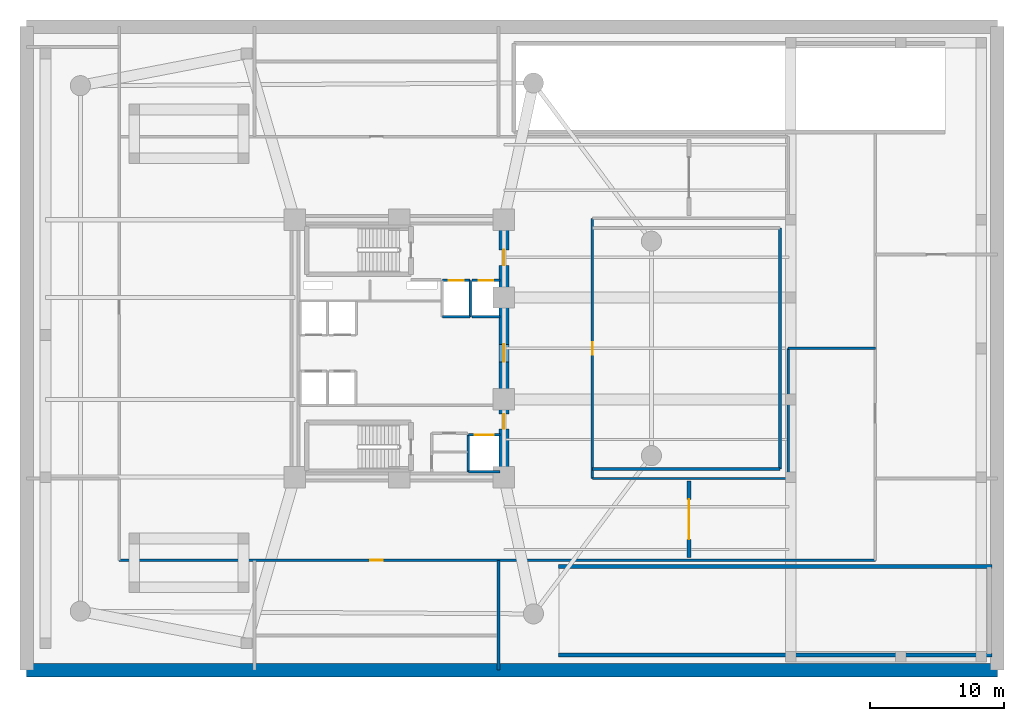
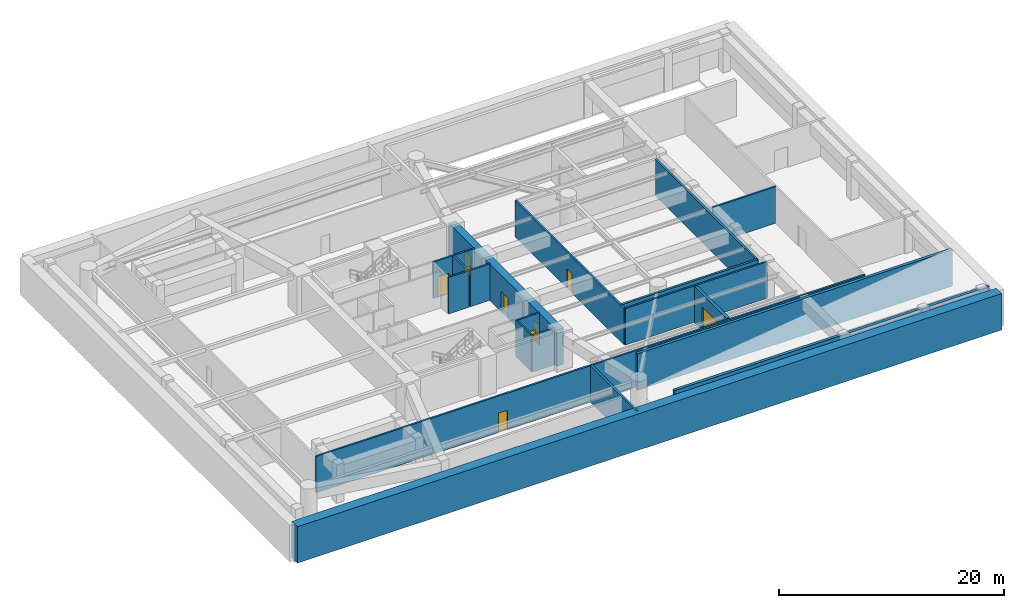
# One storey, part 4 of 7: 21 walls, 9 doors, 9 openings.
"""IFC4 building model written with IfcOpenShell, lengths in metres."""

from ifc_helpers import new_model, si_unit, direction, frame, frame_2d, origin, place, context, subcontext, project, spatial, rectangle, extrude, material, layer, layer_set, type_object, element, fill, save


model = new_model("IFC4")

# Units and contexts
model_context = context("Model", 3, precision=1e-05, world=origin(), true_north=direction((0.0, 1.0)))
body_context = subcontext(model_context, "Body", "Model", "MODEL_VIEW")
ifc_project = project(units=[si_unit("LENGTHUNIT", "METRE"), si_unit("AREAUNIT", "SQUARE_METRE"), si_unit("VOLUMEUNIT", "CUBIC_METRE"), si_unit("PLANEANGLEUNIT", "RADIAN"), si_unit("MASSUNIT", "GRAM", prefix="KILO")], contexts=[model_context])

# Site, building, storey
site_placement = place(None, origin())
site = spatial("IfcSite", under=ifc_project, at=site_placement, CompositionType="ELEMENT")
building_placement = place(site_placement, origin())
building = spatial("IfcBuilding", under=site, at=building_placement, Name="An Khanh Terracotta Commons", CompositionType="ELEMENT")
storey_placement = place(building_placement, frame((0.0, 0.0, -4.199951171875)))
storey = spatial("IfcBuildingStorey", under=building, at=storey_placement, Name="B01", CompositionType="ELEMENT", Elevation=-4.199951171875)

# Wall, openings, doors
ifc_material_1 = material(Name="Concrete C70/85", Category="concrete")
ifc_layer_1 = layer(ifc_material_1, 0.75, Name="Concrete C70/85")
ifc_layer_set_1 = layer_set([ifc_layer_1], Name="Concrete C70/85")
wall_type_1 = type_object("IfcWallType", Name="WALL-CORE-750", PredefinedType="SHEAR", material=ifc_layer_set_1)
wall_1_placement = place(storey_placement, frame((37.199951171875, 14.39990234375, 0.0), z_axis=(0.0, 0.0, 1.0), x_axis=(0.0, 1.0, 0.0)))
wall_1 = element("IfcWall", 1, at=wall_1_placement, inside=storey, type_object=wall_type_1, Name="B01 Core Wall CWALL-B01-E", PredefinedType="SHEAR", context=body_context, shape_type="SweptSolid", body=[
    extrude(rectangle(XDim=19.2001953125, YDim=0.75, at=frame_2d((9.60009765625, 0.0))), origin(), (0.0, 0.0, 1.0), 3.9599609375),
])
opening_1_placement = place(wall_1_placement, frame((15.800048828125, 0.0, 0.0)))
opening_1 = element("IfcOpeningElement", 2, at=opening_1_placement, cuts=wall_1, Name="Opening D-FFL", PredefinedType="OPENING", context=body_context, shape_type="SweptSolid", body=[
    extrude(rectangle(XDim=1.14990234375, YDim=2.14990234375, at=frame_2d((0.574951171875, 1.074951171875))), frame((0.0, 0.385009765625, 0.0), z_axis=(0.0, -1.0, 0.0), x_axis=(1.0, 0.0, 0.0)), (0.0, 0.0, 1.0), 0.77001953125),
])
opening_2_placement = place(wall_1_placement, frame((3.60009765625, 0.0, 0.0)))
opening_2 = element("IfcOpeningElement", 3, at=opening_2_placement, cuts=wall_1, Name="Opening D-ST", PredefinedType="OPENING", context=body_context, shape_type="SweptSolid", body=[
    extrude(rectangle(XDim=1.10009765625, YDim=2.14990234375, at=frame_2d((0.550048828125, 1.074951171875))), frame((0.0, 0.385009765625, 0.0), z_axis=(0.0, -1.0, 0.0), x_axis=(1.0, 0.0, 0.0)), (0.0, 0.0, 1.0), 0.77001953125),
])
opening_3_placement = place(wall_1_placement, frame((8.60009765625, 0.0, 0.0)))
opening_3 = element("IfcOpeningElement", 4, at=opening_3_placement, cuts=wall_1, Name="Opening D-COR", PredefinedType="OPENING", context=body_context, shape_type="SweptSolid", body=[
    extrude(rectangle(XDim=1.300048828125, YDim=2.199951171875, at=frame_2d((0.64990234375, 1.10009765625))), frame((0.0, 0.385009765625, 0.0), z_axis=(0.0, -1.0, 0.0), x_axis=(1.0, 0.0, 0.0)), (0.0, 0.0, 1.0), 0.77001953125),
])
ifc_material_2 = material(Name="Fire-Rated Glazed Steel Double Door", Category="steel")
door_type_1 = type_object("IfcDoorType", Name="DOOR-CORR-1300", OperationType="NOTDEFINED", PredefinedType="DOOR", material=ifc_material_2)
door_1_placement = place(opening_3_placement, origin())
door_1 = element("IfcDoor", 5, at=door_1_placement, inside=storey, type_object=door_type_1, Name="B01 Passenger Lift Lobby Double Door", OperationType="DOUBLE_DOOR_SINGLE_SWING", OverallHeight=2.199951171875, OverallWidth=1.300048828125, PredefinedType="DOOR", context=body_context, shape_type="SweptSolid", body=[
    extrude(rectangle(XDim=1.300048828125, YDim=2.199951171875, at=frame_2d((0.64990234375, 1.10009765625))), frame((0.0, 0.02490234375, 0.0), z_axis=(0.0, -1.0, 0.0), x_axis=(1.0, 0.0, 0.0)), (0.0, 0.0, 1.0), 0.050048828125),
])
fill(opening_3, door_1)
ifc_material_3 = material(Name="Fire-Rated Steel Leaf and Vision Panel", Category="steel")
door_type_2 = type_object("IfcDoorType", Name="DOOR-FFL-1150", OperationType="NOTDEFINED", PredefinedType="DOOR", material=ifc_material_3)
door_2_placement = place(opening_1_placement, origin())
door_2 = element("IfcDoor", 6, at=door_2_placement, inside=storey, type_object=door_type_2, Name="B01 Firefighting Lift Lobby Fire Door", OperationType="SINGLE_SWING_RIGHT", OverallHeight=2.14990234375, OverallWidth=1.14990234375, PredefinedType="DOOR", context=body_context, shape_type="SweptSolid", body=[
    extrude(rectangle(XDim=1.14990234375, YDim=2.14990234375, at=frame_2d((0.574951171875, 1.074951171875))), frame((0.0, 0.02490234375, 0.0), z_axis=(0.0, -1.0, 0.0), x_axis=(1.0, 0.0, 0.0)), (0.0, 0.0, 1.0), 0.050048828125),
])
fill(opening_1, door_2)
ifc_material_4 = material(Name="Fire-Rated Steel Leaf and Frame", Category="steel")
door_type_3 = type_object("IfcDoorType", Name="DOOR-STAIR-1100", OperationType="NOTDEFINED", PredefinedType="DOOR", material=ifc_material_4)
door_3_placement = place(opening_2_placement, origin())
door_3 = element("IfcDoor", 7, at=door_3_placement, inside=storey, type_object=door_type_3, Name="B01 South Stair Lobby Fire Door", OperationType="SINGLE_SWING_LEFT", OverallHeight=2.14990234375, OverallWidth=1.10009765625, PredefinedType="DOOR", context=body_context, shape_type="SweptSolid", body=[
    extrude(rectangle(XDim=1.10009765625, YDim=2.14990234375, at=frame_2d((0.550048828125, 1.074951171875))), frame((0.0, 0.02490234375, 0.0), z_axis=(0.0, -1.0, 0.0), x_axis=(1.0, 0.0, 0.0)), (0.0, 0.0, 1.0), 0.050048828125),
])
fill(opening_2, door_3)

# Wall, opening, door
ifc_material_5 = material(Name="Fire-Rated Gypsum Board on Steel Stud", Category="steel")
ifc_layer_2 = layer(ifc_material_5, 0.179931640625, Name="Fire-Rated Gypsum Board on Steel Stud")
ifc_layer_set_2 = layer_set([ifc_layer_2], Name="Fire-Rated Gypsum Board on Steel Stud")
wall_type_2 = type_object("IfcWallType", Name="WALL-CORR-180", PredefinedType="PARTITIONING", material=ifc_layer_set_2)
wall_2_placement = place(storey_placement, frame((32.60009765625, 29.080078125, 0.0), z_axis=(0.0, 0.0, 1.0), x_axis=(1.0, 0.0, 0.0)))
wall_2 = element("IfcWall", 8, at=wall_2_placement, inside=storey, type_object=wall_type_2, Name="B01 Core Wall LSH-B01-FFL-01-N", PredefinedType="PARTITIONING", context=body_context, shape_type="SweptSolid", body=[
    extrude(rectangle(XDim=2.079833984375, YDim=0.179931640625, at=frame_2d((1.0400390625, 0.0))), origin(), (0.0, 0.0, 1.0), 3.9599609375),
])
opening_4_placement = place(wall_2_placement, frame((0.489990234375, 0.0, 0.0)))
opening_4 = element("IfcOpeningElement", 9, at=opening_4_placement, cuts=wall_2, Name="Opening LD-FFL-01-B01", PredefinedType="OPENING", context=body_context, shape_type="SweptSolid", body=[
    extrude(rectangle(XDim=1.10009765625, YDim=2.199951171875, at=frame_2d((0.550048828125, 1.10009765625))), frame((0.0, 0.099853515625, 0.0), z_axis=(0.0, -1.0, 0.0), x_axis=(1.0, 0.0, 0.0)), (0.0, 0.0, 1.0), 0.199951171875),
])
ifc_material_6 = material(Name="Brushed Stainless Steel Fire Landing Door", Category="steel")
door_type_4 = type_object("IfcDoorType", Name="DOOR-LD-FFL-1100", OperationType="NOTDEFINED", PredefinedType="DOOR", material=ifc_material_6)
door_4_placement = place(opening_4_placement, origin())
door_4 = element("IfcDoor", 10, at=door_4_placement, inside=storey, type_object=door_type_4, Name="B01 Lift FFL-01 Sliding Landing Door", OperationType="DOUBLE_DOOR_SLIDING", OverallHeight=2.199951171875, OverallWidth=1.10009765625, PredefinedType="DOOR", context=body_context, shape_type="SweptSolid", body=[
    extrude(rectangle(XDim=1.10009765625, YDim=2.199951171875, at=frame_2d((0.550048828125, 1.10009765625))), frame((0.0, 0.02490234375, 0.0), z_axis=(0.0, -1.0, 0.0), x_axis=(1.0, 0.0, 0.0)), (0.0, 0.0, 1.0), 0.050048828125),
])
fill(opening_4, door_4)

# Walls
wall_3_placement = place(storey_placement, frame((34.679931640625, 26.35009765625, 0.0), z_axis=(0.0, 0.0, 1.0), x_axis=(-1.0, 0.0, 0.0)))
element("IfcWall", 11, at=wall_3_placement, inside=storey, type_object=wall_type_2, Name="B01 Core Wall LSH-B01-FFL-01-S", PredefinedType="PARTITIONING", context=body_context, shape_type="SweptSolid", body=[
    extrude(rectangle(XDim=2.079833984375, YDim=0.179931640625, at=frame_2d((1.0400390625, 0.0))), origin(), (0.0, 0.0, 1.0), 3.9599609375),
])
wall_4_placement = place(storey_placement, frame((34.679931640625, 26.35009765625, 0.0), z_axis=(0.0, 0.0, 1.0), x_axis=(0.0, 1.0, 0.0)))
element("IfcWall", 12, at=wall_4_placement, inside=storey, type_object=wall_type_2, Name="B01 Core Wall LSH-B01-FFL-01-E", PredefinedType="PARTITIONING", context=body_context, shape_type="SweptSolid", body=[
    extrude(rectangle(XDim=2.72998046875, YDim=0.179931640625, at=frame_2d((1.364990234375, 0.0))), origin(), (0.0, 0.0, 1.0), 3.9599609375),
])

# Wall, opening, door
wall_5_placement = place(storey_placement, frame((34.820068359375, 29.080078125, 0.0), z_axis=(0.0, 0.0, 1.0), x_axis=(1.0, 0.0, 0.0)))
wall_5 = element("IfcWall", 13, at=wall_5_placement, inside=storey, type_object=wall_type_2, Name="B01 Core Wall LSH-B01-FFL-02-N", PredefinedType="PARTITIONING", context=body_context, shape_type="SweptSolid", body=[
    extrude(rectangle(XDim=2.079833984375, YDim=0.179931640625, at=frame_2d((1.0400390625, 0.0))), origin(), (0.0, 0.0, 1.0), 3.9599609375),
])
opening_5_placement = place(wall_5_placement, frame((0.489990234375, 0.0, 0.0)))
opening_5 = element("IfcOpeningElement", 14, at=opening_5_placement, cuts=wall_5, Name="Opening LD-FFL-02-B01", PredefinedType="OPENING", context=body_context, shape_type="SweptSolid", body=[
    extrude(rectangle(XDim=1.10009765625, YDim=2.199951171875, at=frame_2d((0.550048828125, 1.10009765625))), frame((0.0, 0.099853515625, 0.0), z_axis=(0.0, -1.0, 0.0), x_axis=(1.0, 0.0, 0.0)), (0.0, 0.0, 1.0), 0.199951171875),
])
door_5_placement = place(opening_5_placement, origin())
door_5 = element("IfcDoor", 15, at=door_5_placement, inside=storey, type_object=door_type_4, Name="B01 Lift FFL-02 Sliding Landing Door", OperationType="DOUBLE_DOOR_SLIDING", OverallHeight=2.199951171875, OverallWidth=1.10009765625, PredefinedType="DOOR", context=body_context, shape_type="SweptSolid", body=[
    extrude(rectangle(XDim=1.10009765625, YDim=2.199951171875, at=frame_2d((0.550048828125, 1.10009765625))), frame((0.0, 0.02490234375, 0.0), z_axis=(0.0, -1.0, 0.0), x_axis=(1.0, 0.0, 0.0)), (0.0, 0.0, 1.0), 0.050048828125),
])
fill(opening_5, door_5)

# Wall
wall_6_placement = place(storey_placement, frame((36.89990234375, 26.35009765625, 0.0), z_axis=(0.0, 0.0, 1.0), x_axis=(-1.0, 0.0, 0.0)))
element("IfcWall", 16, at=wall_6_placement, inside=storey, type_object=wall_type_2, Name="B01 Core Wall LSH-B01-FFL-02-S", PredefinedType="PARTITIONING", context=body_context, shape_type="SweptSolid", body=[
    extrude(rectangle(XDim=2.079833984375, YDim=0.179931640625, at=frame_2d((1.0400390625, 0.0))), origin(), (0.0, 0.0, 1.0), 3.9599609375),
])

# Wall, opening, door
wall_7_placement = place(storey_placement, frame((34.550048828125, 17.550048828125, 0.0), z_axis=(0.0, 0.0, 1.0), x_axis=(1.0, 0.0, 0.0)))
wall_7 = element("IfcWall", 17, at=wall_7_placement, inside=storey, type_object=wall_type_2, Name="B01 Core Wall LSH-B01-SVL-01-N", PredefinedType="PARTITIONING", context=body_context, shape_type="SweptSolid", body=[
    extrude(rectangle(XDim=2.349853515625, YDim=0.179931640625, at=frame_2d((1.1748046875, 0.0))), origin(), (0.0, 0.0, 1.0), 3.9599609375),
])
opening_6_placement = place(wall_7_placement, frame((0.47509765625, 0.0, 0.0)))
opening_6 = element("IfcOpeningElement", 18, at=opening_6_placement, cuts=wall_7, Name="Opening LD-SVL-01-B01", PredefinedType="OPENING", context=body_context, shape_type="SweptSolid", body=[
    extrude(rectangle(XDim=1.39990234375, YDim=2.300048828125, at=frame_2d((0.699951171875, 1.14990234375))), frame((0.0, 0.099853515625, 0.0), z_axis=(0.0, -1.0, 0.0), x_axis=(1.0, 0.0, 0.0)), (0.0, 0.0, 1.0), 0.199951171875),
])
ifc_material_7 = material(Name="Heavy-Duty Stainless Steel Goods Landing Door", Category="steel")
door_type_5 = type_object("IfcDoorType", Name="DOOR-LD-SVL-1400", OperationType="NOTDEFINED", PredefinedType="DOOR", material=ifc_material_7)
door_6_placement = place(opening_6_placement, origin())
door_6 = element("IfcDoor", 19, at=door_6_placement, inside=storey, type_object=door_type_5, Name="B01 Lift SVL-01 Sliding Landing Door", OperationType="DOUBLE_DOOR_SLIDING", OverallHeight=2.300048828125, OverallWidth=1.39990234375, PredefinedType="DOOR", context=body_context, shape_type="SweptSolid", body=[
    extrude(rectangle(XDim=1.39990234375, YDim=2.300048828125, at=frame_2d((0.699951171875, 1.14990234375))), frame((0.0, 0.02490234375, 0.0), z_axis=(0.0, -1.0, 0.0), x_axis=(1.0, 0.0, 0.0)), (0.0, 0.0, 1.0), 0.050048828125),
])
fill(opening_6, door_6)

# Walls
wall_8_placement = place(storey_placement, frame((36.89990234375, 14.800048828125, 0.0), z_axis=(0.0, 0.0, 1.0), x_axis=(-1.0, 0.0, 0.0)))
element("IfcWall", 20, at=wall_8_placement, inside=storey, type_object=wall_type_2, Name="B01 Core Wall LSH-B01-SVL-01-S", PredefinedType="PARTITIONING", context=body_context, shape_type="SweptSolid", body=[
    extrude(rectangle(XDim=2.349853515625, YDim=0.179931640625, at=frame_2d((1.1748046875, 0.0))), origin(), (0.0, 0.0, 1.0), 3.9599609375),
])
wall_9_placement = place(storey_placement, frame((34.550048828125, 17.550048828125, 0.0), z_axis=(0.0, 0.0, 1.0), x_axis=(0.0, -1.0, 0.0)))
element("IfcWall", 21, at=wall_9_placement, inside=storey, type_object=wall_type_2, Name="B01 Core Wall LSH-B01-SVL-01-W", PredefinedType="PARTITIONING", context=body_context, shape_type="SweptSolid", body=[
    extrude(rectangle(XDim=2.75, YDim=0.179931640625, at=frame_2d((1.375, 0.0))), origin(), (0.0, 0.0, 1.0), 3.9599609375),
])

# Wall, opening, door
wall_10_placement = place(storey_placement, frame((8.5, 8.199951171875, 0.0), z_axis=(0.0, 0.0, 1.0), x_axis=(1.0, 0.0, 0.0)))
wall_10 = element("IfcWall", 22, at=wall_10_placement, inside=storey, type_object=wall_type_2, Name="B01 Interior Partition IW-B01-E002", PredefinedType="PARTITIONING", context=body_context, shape_type="SweptSolid", body=[
    extrude(rectangle(XDim=56.39990234375, YDim=0.179931640625, at=frame_2d((28.199951171875, 0.0))), origin(), (0.0, 0.0, 1.0), 3.9599609375),
])
opening_7_placement = place(wall_10_placement, frame((18.739990234375, 0.0, 0.0)))
opening_7 = element("IfcOpeningElement", 23, at=opening_7_placement, cuts=wall_10, Name="Opening D-RM", PredefinedType="OPENING", context=body_context, shape_type="SweptSolid", body=[
    extrude(rectangle(XDim=0.919921875, YDim=2.10009765625, at=frame_2d((0.4599609375, 1.050048828125))), frame((0.0, 0.099853515625, 0.0), z_axis=(0.0, -1.0, 0.0), x_axis=(1.0, 0.0, 0.0)), (0.0, 0.0, 1.0), 0.199951171875),
])
ifc_material_8 = material(Name="Engineered Hardwood Timber Leaf", Category="wood")
door_type_6 = type_object("IfcDoorType", Name="DOOR-INT-920", OperationType="NOTDEFINED", PredefinedType="DOOR", material=ifc_material_8)
door_7_placement = place(opening_7_placement, origin())
door_7 = element("IfcDoor", 24, at=door_7_placement, inside=storey, type_object=door_type_6, Name="B01 PKS South Car Parking Zone Door", OperationType="SINGLE_SWING_LEFT", OverallHeight=2.10009765625, OverallWidth=0.919921875, PredefinedType="DOOR", context=body_context, shape_type="SweptSolid", body=[
    extrude(rectangle(XDim=0.919921875, YDim=2.10009765625, at=frame_2d((0.4599609375, 1.050048828125))), frame((0.0, 0.02490234375, 0.0), z_axis=(0.0, -1.0, 0.0), x_axis=(1.0, 0.0, 0.0)), (0.0, 0.0, 1.0), 0.050048828125),
])
fill(opening_7, door_7)

# Walls
wall_11_placement = place(storey_placement, frame((43.800048828125, 14.300048828125, 0.0), z_axis=(0.0, 0.0, 1.0), x_axis=(1.0, 0.0, 0.0)))
element("IfcWall", 25, at=wall_11_placement, inside=storey, type_object=wall_type_2, Name="B01 Interior Partition IW-B01-E004", PredefinedType="PARTITIONING", context=body_context, shape_type="SweptSolid", body=[
    extrude(rectangle(XDim=14.599853515625, YDim=0.179931640625, at=frame_2d((7.2998046875, 0.0))), origin(), (0.0, 0.0, 1.0), 3.9599609375),
])
wall_12_placement = place(storey_placement, frame((58.39990234375, 24.0, 0.0), z_axis=(0.0, 0.0, 1.0), x_axis=(1.0, 0.0, 0.0)))
element("IfcWall", 26, at=wall_12_placement, inside=storey, type_object=wall_type_2, Name="B01 Interior Partition IW-B01-E007", PredefinedType="PARTITIONING", context=body_context, shape_type="SweptSolid", body=[
    extrude(rectangle(XDim=6.5, YDim=0.179931640625, at=frame_2d((3.25, 0.0))), origin(), (0.0, 0.0, 1.0), 3.9599609375),
])

# Wall, opening, door
wall_13_placement = place(storey_placement, frame((43.800048828125, 14.300048828125, 0.0), z_axis=(0.0, 0.0, 1.0), x_axis=(0.0, 1.0, 0.0)))
wall_13 = element("IfcWall", 27, at=wall_13_placement, inside=storey, type_object=wall_type_2, Name="B01 Interior Partition IW-B01-E019", PredefinedType="PARTITIONING", context=body_context, shape_type="SweptSolid", body=[
    extrude(rectangle(XDim=19.39990234375, YDim=0.179931640625, at=frame_2d((9.699951171875, 0.0))), origin(), (0.0, 0.0, 1.0), 3.9599609375),
])
opening_8_placement = place(wall_13_placement, frame((9.239990234375, 0.0, 0.0)))
opening_8 = element("IfcOpeningElement", 28, at=opening_8_placement, cuts=wall_13, Name="Opening D-RM", PredefinedType="OPENING", context=body_context, shape_type="SweptSolid", body=[
    extrude(rectangle(XDim=0.919921875, YDim=2.10009765625, at=frame_2d((0.4599609375, 1.050048828125))), frame((0.0, 0.099853515625, 0.0), z_axis=(0.0, -1.0, 0.0), x_axis=(1.0, 0.0, 0.0)), (0.0, 0.0, 1.0), 0.199951171875),
])
door_8_placement = place(opening_8_placement, origin())
door_8 = element("IfcDoor", 29, at=door_8_placement, inside=storey, type_object=door_type_6, Name="B01 PKA Accessible Car Parking Zone Door", OperationType="SINGLE_SWING_RIGHT", OverallHeight=2.10009765625, OverallWidth=0.919921875, PredefinedType="DOOR", context=body_context, shape_type="SweptSolid", body=[
    extrude(rectangle(XDim=0.919921875, YDim=2.10009765625, at=frame_2d((0.4599609375, 1.050048828125))), frame((0.0, 0.02490234375, 0.0), z_axis=(0.0, -1.0, 0.0), x_axis=(1.0, 0.0, 0.0)), (0.0, 0.0, 1.0), 0.050048828125),
])
fill(opening_8, door_8)

# Walls
wall_14_placement = place(storey_placement, frame((58.39990234375, 14.300048828125, 0.0), z_axis=(0.0, 0.0, 1.0), x_axis=(0.0, 1.0, 0.0)))
element("IfcWall", 30, at=wall_14_placement, inside=storey, type_object=wall_type_2, Name="B01 Interior Partition IW-B01-E021", PredefinedType="PARTITIONING", context=body_context, shape_type="SweptSolid", body=[
    extrude(rectangle(XDim=9.699951171875, YDim=0.179931640625, at=frame_2d((4.85009765625, 0.0))), origin(), (0.0, 0.0, 1.0), 2.741943359375),
])
ifc_material_9 = material(Name="Concrete C50/60", Category="concrete")
ifc_layer_3 = layer(ifc_material_9, 1.0, Name="Concrete C50/60")
ifc_layer_set_3 = layer_set([ifc_layer_3], Name="Concrete C50/60")
wall_type_3 = type_object("IfcWallType", Name="WALL-DIAPH-1000", PredefinedType="SOLIDWALL", material=ifc_layer_set_3)
wall_15_placement = place(storey_placement, frame((1.60009765625, 0.0, 0.0), z_axis=(0.0, 0.0, 1.0), x_axis=(1.0, 0.0, 0.0)))
element("IfcWall", 31, at=wall_15_placement, inside=storey, type_object=wall_type_3, Name="B01 Perimeter Diaphragm Wall 1", PredefinedType="SOLIDWALL", context=body_context, shape_type="SweptSolid", body=[
    extrude(rectangle(XDim=72.39990234375, YDim=1.0, at=frame_2d((36.199951171875, 0.0))), origin(), (0.0, 0.0, 1.0), 3.9599609375),
])
ifc_material_10 = material(Name="Acoustic Double-Stud Gypsum and Mineral Wool")
ifc_layer_4 = layer(ifc_material_10, 0.219970703125, Name="Acoustic Double-Stud Gypsum and Mineral Wool")
ifc_layer_set_4 = layer_set([ifc_layer_4], Name="Acoustic Double-Stud Gypsum and Mineral Wool")
wall_type_4 = type_object("IfcWallType", Name="WALL-PARTY-220", PredefinedType="PARTITIONING", material=ifc_layer_set_4)
wall_16_placement = place(storey_placement, frame((43.800048828125, 15.0, 0.0), z_axis=(0.0, 0.0, 1.0), x_axis=(1.0, 0.0, 0.0)))
element("IfcWall", 32, at=wall_16_placement, inside=storey, type_object=wall_type_4, Name="B01 Interior Partition IW-B01-E006", PredefinedType="PARTITIONING", context=body_context, shape_type="SweptSolid", body=[
    extrude(rectangle(XDim=14.0, YDim=0.219970703125, at=frame_2d((7.0, 0.0))), origin(), (0.0, 0.0, 1.0), 3.9599609375),
])
wall_17_placement = place(storey_placement, frame((36.800048828125, 0.0, 0.0), z_axis=(0.0, 0.0, 1.0), x_axis=(0.0, 1.0, 0.0)))
element("IfcWall", 33, at=wall_17_placement, inside=storey, type_object=wall_type_4, Name="B01 Interior Partition IW-B01-E017", PredefinedType="PARTITIONING", context=body_context, shape_type="SweptSolid", body=[
    extrude(rectangle(XDim=8.199951171875, YDim=0.219970703125, at=frame_2d((4.10009765625, 0.0))), origin(), (0.0, 0.0, 1.0), 3.9599609375),
])
wall_18_placement = place(storey_placement, frame((57.800048828125, 15.0, 0.0), z_axis=(0.0, 0.0, 1.0), x_axis=(0.0, 1.0, 0.0)))
element("IfcWall", 34, at=wall_18_placement, inside=storey, type_object=wall_type_4, Name="B01 Interior Partition IW-B01-E020", PredefinedType="PARTITIONING", context=body_context, shape_type="SweptSolid", body=[
    extrude(rectangle(XDim=18.0, YDim=0.219970703125, at=frame_2d((9.0, 0.0))), origin(), (0.0, 0.0, 1.0), 3.9599609375),
])
ifc_material_11 = material(Name="Concrete C40/50", Category="concrete")
ifc_layer_5 = layer(ifc_material_11, 0.300048828125, Name="Concrete C40/50")
ifc_layer_set_5 = layer_set([ifc_layer_5], Name="Concrete C40/50")
wall_type_5 = type_object("IfcWallType", Name="WALL-RAMP-300", PredefinedType="SOLIDWALL", material=ifc_layer_set_5)
for number, where, z_axis, x_axis, name in (
    (35, (41.25, 1.14990234375, 0.0), (0.0, 0.0, 1.0), (1.0, 0.0, 0.0), "B01 Vehicle Ramp Enclosure Wall 4"),
    (36, (41.25, 7.75, 0.0), (0.0, 0.0, 1.0), (1.0, 0.0, 0.0), "B01 Vehicle Ramp Enclosure Wall 5"),
):
    element("IfcWall", number, at=place(storey_placement, frame(where, z_axis=z_axis, x_axis=x_axis)), inside=storey, type_object=wall_type_5, Name=name, PredefinedType="SOLIDWALL", context=body_context, shape_type="SweptSolid", body=[
        extrude(rectangle(XDim=32.35009765625, YDim=0.300048828125, at=frame_2d((16.175048828125, 0.0))), origin(), (0.0, 0.0, 1.0), 3.9599609375),
    ])

# Wall, opening, door
wall_19_placement = place(storey_placement, frame((51.0, 8.39990234375, 0.0), z_axis=(0.0, 0.0, 1.0), x_axis=(0.0, 1.0, 0.0)))
wall_19 = element("IfcWall", 37, at=wall_19_placement, inside=storey, type_object=wall_type_5, Name="B01 Car Park Fire Compartment Portal Wall 1", PredefinedType="SOLIDWALL", context=body_context, shape_type="SweptSolid", body=[
    extrude(rectangle(XDim=5.7001953125, YDim=0.300048828125, at=frame_2d((2.85009765625, 0.0))), origin(), (0.0, 0.0, 1.0), 3.9599609375),
])
opening_9_placement = place(wall_19_placement, frame((1.35009765625, 0.0, 0.0)))
opening_9 = element("IfcOpeningElement", 38, at=opening_9_placement, cuts=wall_19, Name="Opening VG-B01-1", PredefinedType="OPENING", context=body_context, shape_type="SweptSolid", body=[
    extrude(rectangle(XDim=3.0, YDim=2.550048828125, at=frame_2d((1.5, 1.27490234375))), frame((0.0, 0.159912109375, 0.0), z_axis=(0.0, -1.0, 0.0), x_axis=(1.0, 0.0, 0.0)), (0.0, 0.0, 1.0), 0.320068359375),
])
ifc_material_12 = material(Name="Galvanised Fire-Rated Steel Roller Shutter", Category="steel")
door_type_7 = type_object("IfcDoorType", Name="GATE-PLANT-3000", OperationType="NOTDEFINED", PredefinedType="GATE", material=ifc_material_12)
door_9_placement = place(opening_9_placement, origin())
door_9 = element("IfcDoor", 39, at=door_9_placement, inside=storey, type_object=door_type_7, Name="B01 Car Park Fire Compartment Roller Shutter 1", OperationType="ROLLINGUP", OverallHeight=2.550048828125, OverallWidth=3.0, PredefinedType="GATE", context=body_context, shape_type="SweptSolid", body=[
    extrude(rectangle(XDim=3.0, YDim=2.550048828125, at=frame_2d((1.5, 1.27490234375))), frame((0.0, 0.02490234375, 0.0), z_axis=(0.0, -1.0, 0.0), x_axis=(1.0, 0.0, 0.0)), (0.0, 0.0, 1.0), 0.050048828125),
])
fill(opening_9, door_9)

save(model, "model.ifc")
